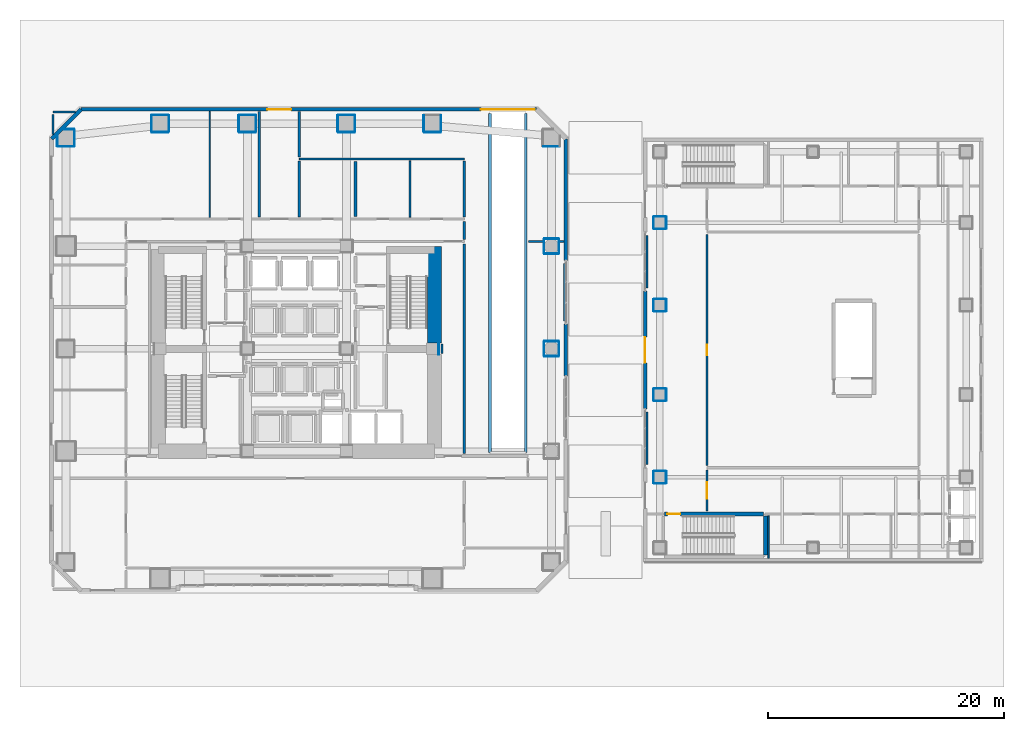
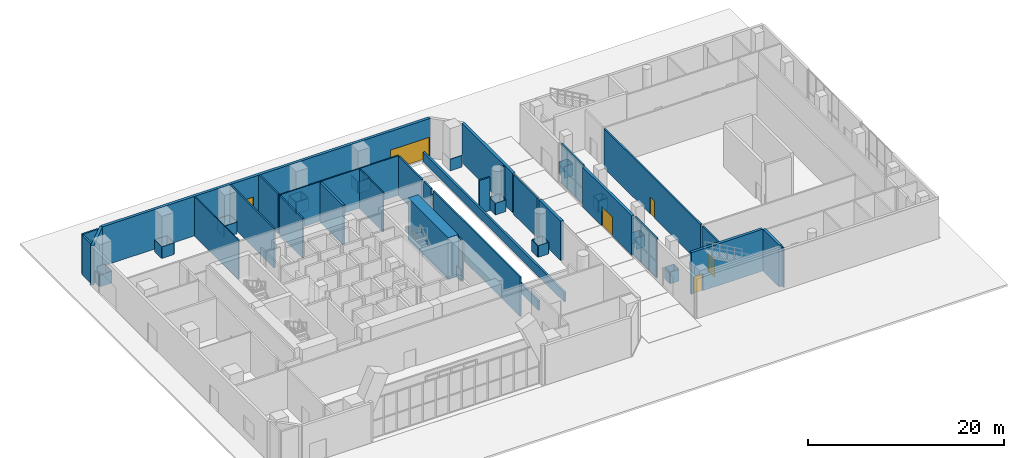
# One storey, part 23 of 30: 76 walls, 6 doors, 6 openings.
"""IFC4 building model written with IfcOpenShell, lengths in metres."""

from ifc_helpers import new_model, si_unit, direction, frame, frame_2d, origin, place, context, subcontext, project, spatial, rectangle, extrude, material, layer, layer_set, type_object, element, fill, save


model = new_model("IFC4")

# Units and contexts
model_context = context("Model", 3, precision=1e-05, world=origin(), true_north=direction((0.0, 1.0)))
body_context = subcontext(model_context, "Body", "Model", "MODEL_VIEW")
ifc_project = project(units=[si_unit("LENGTHUNIT", "METRE"), si_unit("AREAUNIT", "SQUARE_METRE"), si_unit("VOLUMEUNIT", "CUBIC_METRE"), si_unit("PLANEANGLEUNIT", "RADIAN"), si_unit("MASSUNIT", "GRAM", prefix="KILO")], contexts=[model_context])

# Site, building, storey
site_placement = place(None, origin())
site = spatial("IfcSite", under=ifc_project, at=site_placement, CompositionType="ELEMENT")
building_placement = place(site_placement, origin())
building = spatial("IfcBuilding", under=site, at=building_placement, Name="Solanera Arch Residences", CompositionType="ELEMENT")
storey_placement = place(building_placement, origin())
storey = spatial("IfcBuildingStorey", under=building, at=storey_placement, Name="L00", CompositionType="ELEMENT", Elevation=0.0)

# Walls
ifc_material_1 = material(Name="Fire-Rated Gypsum Stud Partition", Category="gypsum")
ifc_layer_1 = layer(ifc_material_1, 0.06005859375)
ifc_layer_set_1 = layer_set([ifc_layer_1], Name="Fire-Rated Gypsum Stud Partition")
wall_type_1 = type_object("IfcWallType", Name="Column Acoustic Furring Wall 60", PredefinedType="PARTITIONING", material=ifc_layer_set_1)
wall_1_placement = place(storey_placement, frame((37.031982421875, 30.2099609375, 0.0), z_axis=(0.0, 0.0, 1.0), x_axis=(0.0, 1.0, 0.0)))
element("IfcWall", 1, at=wall_1_placement, inside=storey, type_object=wall_type_1, Name="L00 Column Furring 6E", PredefinedType="PARTITIONING", context=body_context, shape_type="SweptSolid", body=[
    extrude(rectangle(XDim=0.97998046875, YDim=0.06005859375, at=frame_2d((0.489990234375, 0.0))), origin(), (0.0, 0.0, 1.0), 1.449951171875),
])
for number, where, z_axis, x_axis, name in (
    (2, (12.699951171875, 49.068115234375, 0.0), (0.0, 0.0, 1.0), (1.0, 0.0, 0.0), "L00 Column Furring 11S"),
    (3, (12.699951171875, 50.531982421875, 0.0), (0.0, 0.0, 1.0), (1.0, 0.0, 0.0), "L00 Column Furring 11N"),
):
    element("IfcWall", number, at=place(storey_placement, frame(where, z_axis=z_axis, x_axis=x_axis)), inside=storey, type_object=wall_type_1, Name=name, PredefinedType="PARTITIONING", context=body_context, shape_type="SweptSolid", body=[
        extrude(rectangle(XDim=1.400146484375, YDim=0.06005859375, at=frame_2d((0.7001953125, 0.0))), origin(), (0.0, 0.0, 1.0), 1.449951171875),
    ])
for number, where, z_axis, x_axis, name in (
    (4, (12.66796875, 49.10009765625, 0.0), (0.0, 0.0, 1.0), (0.0, 1.0, 0.0), "L00 Column Furring 11W"),
    (5, (14.132080078125, 49.10009765625, 0.0), (0.0, 0.0, 1.0), (0.0, 1.0, 0.0), "L00 Column Furring 11E"),
    (6, (20.10009765625, 49.068115234375, 0.0), (0.0, 0.0, 1.0), (1.0, 0.0, 0.0), "L00 Column Furring 12S"),
    (7, (20.10009765625, 50.531982421875, 0.0), (0.0, 0.0, 1.0), (1.0, 0.0, 0.0), "L00 Column Furring 12N"),
    (8, (20.068115234375, 49.10009765625, 0.0), (0.0, 0.0, 1.0), (0.0, 1.0, 0.0), "L00 Column Furring 12W"),
    (9, (21.531982421875, 49.10009765625, 0.0), (0.0, 0.0, 1.0), (0.0, 1.0, 0.0), "L00 Column Furring 12E"),
    (10, (28.5, 49.068115234375, 0.0), (0.0, 0.0, 1.0), (1.0, 0.0, 0.0), "L00 Column Furring 13S"),
    (11, (28.5, 50.531982421875, 0.0), (0.0, 0.0, 1.0), (1.0, 0.0, 0.0), "L00 Column Furring 13N"),
    (12, (28.468017578125, 49.10009765625, 0.0), (0.0, 0.0, 1.0), (0.0, 1.0, 0.0), "L00 Column Furring 13W"),
    (13, (29.931884765625, 49.10009765625, 0.0), (0.0, 0.0, 1.0), (0.0, 1.0, 0.0), "L00 Column Furring 13E"),
    (14, (35.800048828125, 49.068115234375, 0.0), (0.0, 0.0, 1.0), (1.0, 0.0, 0.0), "L00 Column Furring 14S"),
    (15, (35.76806640625, 49.10009765625, 0.0), (0.0, 0.0, 1.0), (0.0, 1.0, 0.0), "L00 Column Furring 14W"),
    (16, (37.23193359375, 49.10009765625, 0.0), (0.0, 0.0, 1.0), (0.0, 1.0, 0.0), "L00 Column Furring 14E"),
):
    element("IfcWall", number, at=place(storey_placement, frame(where, z_axis=z_axis, x_axis=x_axis)), inside=storey, type_object=wall_type_1, Name=name, PredefinedType="PARTITIONING", context=body_context, shape_type="SweptSolid", body=[
        extrude(rectangle(XDim=1.39990234375, YDim=0.06005859375, at=frame_2d((0.699951171875, 0.0))), origin(), (0.0, 0.0, 1.0), 1.449951171875),
    ])
for number, where, z_axis, x_axis, name in (
    (17, (46.0, 30.068115234375, 0.0), (0.0, 0.0, 1.0), (1.0, 0.0, 0.0), "L00 Column Furring 19S"),
    (18, (46.0, 31.33203125, 0.0), (0.0, 0.0, 1.0), (1.0, 0.0, 0.0), "L00 Column Furring 19N"),
    (19, (45.968017578125, 30.10009765625, 0.0), (0.0, 0.0, 1.0), (0.0, 1.0, 0.0), "L00 Column Furring 19W"),
    (20, (47.23193359375, 30.10009765625, 0.0), (0.0, 0.0, 1.0), (0.0, 1.0, 0.0), "L00 Column Furring 19E"),
    (21, (46.0, 38.76806640625, 0.0), (0.0, 0.0, 1.0), (1.0, 0.0, 0.0), "L00 Column Furring 20S"),
    (22, (46.0, 40.031982421875, 0.0), (0.0, 0.0, 1.0), (1.0, 0.0, 0.0), "L00 Column Furring 20N"),
    (23, (45.968017578125, 38.800048828125, 0.0), (0.0, 0.0, 1.0), (0.0, 1.0, 0.0), "L00 Column Furring 20W"),
    (24, (47.23193359375, 38.800048828125, 0.0), (0.0, 0.0, 1.0), (0.0, 1.0, 0.0), "L00 Column Furring 20E"),
):
    element("IfcWall", number, at=place(storey_placement, frame(where, z_axis=z_axis, x_axis=x_axis)), inside=storey, type_object=wall_type_1, Name=name, PredefinedType="PARTITIONING", context=body_context, shape_type="SweptSolid", body=[
        extrude(rectangle(XDim=1.199951171875, YDim=0.06005859375, at=frame_2d((0.60009765625, 0.0))), origin(), (0.0, 0.0, 1.0), 1.449951171875),
    ])
wall_2_placement = place(storey_placement, frame((4.699951171875, 47.867919921875, 0.0), z_axis=(0.0, 0.0, 1.0), x_axis=(1.0, 0.0, 0.0)))
element("IfcWall", 25, at=wall_2_placement, inside=storey, type_object=wall_type_1, Name="L00 Column Furring 23S", PredefinedType="PARTITIONING", context=body_context, shape_type="SweptSolid", body=[
    extrude(rectangle(XDim=1.400146484375, YDim=0.06005859375, at=frame_2d((0.7001953125, 0.0))), origin(), (0.0, 0.0, 1.0), 1.449951171875),
])
for number, where, z_axis, x_axis, name in (
    (26, (5.239013671875, 49.33203125, 0.0), (0.0, 0.0, 1.0), (1.0, 0.0, 0.0), "L00 Column Furring 23N"),
    (27, (4.66796875, 47.89990234375, 0.0), (0.0, 0.0, 1.0), (0.0, 1.0, 0.0), "L00 Column Furring 23W"),
):
    element("IfcWall", number, at=place(storey_placement, frame(where, z_axis=z_axis, x_axis=x_axis)), inside=storey, type_object=wall_type_1, Name=name, PredefinedType="PARTITIONING", context=body_context, shape_type="SweptSolid", body=[
        extrude(rectangle(XDim=0.861083984375, YDim=0.06005859375, at=frame_2d((0.4306640625, 0.0))), origin(), (0.0, 0.0, 1.0), 1.449951171875),
    ])
for number, where, z_axis, x_axis, name in (
    (28, (6.132080078125, 47.89990234375, 0.0), (0.0, 0.0, 1.0), (0.0, 1.0, 0.0), "L00 Column Furring 23E"),
    (29, (45.89990234375, 47.867919921875, 0.0), (0.0, 0.0, 1.0), (1.0, 0.0, 0.0), "L00 Column Furring 24S"),
):
    element("IfcWall", number, at=place(storey_placement, frame(where, z_axis=z_axis, x_axis=x_axis)), inside=storey, type_object=wall_type_1, Name=name, PredefinedType="PARTITIONING", context=body_context, shape_type="SweptSolid", body=[
        extrude(rectangle(XDim=1.400146484375, YDim=0.06005859375, at=frame_2d((0.7001953125, 0.0))), origin(), (0.0, 0.0, 1.0), 1.449951171875),
    ])
for number, where, z_axis, x_axis, name in (
    (30, (55.300048828125, 19.26806640625, 0.0), (0.0, 0.0, 1.0), (1.0, 0.0, 0.0), "L00 Column Furring 26S"),
    (31, (55.300048828125, 20.33203125, 0.0), (0.0, 0.0, 1.0), (1.0, 0.0, 0.0), "L00 Column Furring 26N"),
    (32, (55.26806640625, 19.300048828125, 0.0), (0.0, 0.0, 1.0), (0.0, 1.0, 0.0), "L00 Column Furring 26W"),
    (33, (56.33203125, 19.300048828125, 0.0), (0.0, 0.0, 1.0), (0.0, 1.0, 0.0), "L00 Column Furring 26E"),
    (34, (55.300048828125, 26.26806640625, 0.0), (0.0, 0.0, 1.0), (1.0, 0.0, 0.0), "L00 Column Furring 27S"),
    (35, (55.300048828125, 27.33203125, 0.0), (0.0, 0.0, 1.0), (1.0, 0.0, 0.0), "L00 Column Furring 27N"),
    (36, (55.26806640625, 26.300048828125, 0.0), (0.0, 0.0, 1.0), (0.0, 1.0, 0.0), "L00 Column Furring 27W"),
    (37, (56.33203125, 26.300048828125, 0.0), (0.0, 0.0, 1.0), (0.0, 1.0, 0.0), "L00 Column Furring 27E"),
    (38, (55.300048828125, 33.867919921875, 0.0), (0.0, 0.0, 1.0), (1.0, 0.0, 0.0), "L00 Column Furring 28S"),
    (39, (55.300048828125, 34.931884765625, 0.0), (0.0, 0.0, 1.0), (1.0, 0.0, 0.0), "L00 Column Furring 28N"),
    (40, (55.26806640625, 33.89990234375, 0.0), (0.0, 0.0, 1.0), (0.0, 1.0, 0.0), "L00 Column Furring 28W"),
    (41, (56.33203125, 33.89990234375, 0.0), (0.0, 0.0, 1.0), (0.0, 1.0, 0.0), "L00 Column Furring 28E"),
    (42, (55.300048828125, 40.867919921875, 0.0), (0.0, 0.0, 1.0), (1.0, 0.0, 0.0), "L00 Column Furring 29S"),
    (43, (55.300048828125, 41.931884765625, 0.0), (0.0, 0.0, 1.0), (1.0, 0.0, 0.0), "L00 Column Furring 29N"),
    (44, (55.26806640625, 40.89990234375, 0.0), (0.0, 0.0, 1.0), (0.0, 1.0, 0.0), "L00 Column Furring 29W"),
    (45, (56.33203125, 40.89990234375, 0.0), (0.0, 0.0, 1.0), (0.0, 1.0, 0.0), "L00 Column Furring 29E"),
):
    element("IfcWall", number, at=place(storey_placement, frame(where, z_axis=z_axis, x_axis=x_axis)), inside=storey, type_object=wall_type_1, Name=name, PredefinedType="PARTITIONING", context=body_context, shape_type="SweptSolid", body=[
        extrude(rectangle(XDim=1.0, YDim=0.06005859375, at=frame_2d((0.5, 0.0))), origin(), (0.0, 0.0, 1.0), 1.449951171875),
    ])
ifc_material_2 = material(Name="Concrete C55/67 (f'c = 60 MPa)", Category="concrete")
ifc_layer_2 = layer(ifc_material_2, 1.199951171875)
ifc_layer_set_2 = layer_set([ifc_layer_2], Name="Concrete C55/67 (f'c = 60 MPa)")
wall_type_2 = type_object("IfcWallType", Name="Core Shear Wall CW-1200", PredefinedType="SHEAR", material=ifc_layer_set_2)
wall_3_placement = place(storey_placement, frame((36.659912109375, 31.205078125, 0.0), z_axis=(0.0, 0.0, 1.0), x_axis=(0.0, 1.0, 0.0)))
element("IfcWall", 46, at=wall_3_placement, inside=storey, type_object=wall_type_2, Name="L00 East Core North Shear Wall", PredefinedType="SHEAR", context=body_context, shape_type="SweptSolid", body=[
    extrude(rectangle(XDim=8.19482421875, YDim=1.199951171875, at=frame_2d((4.097412109375, 0.0))), origin(), (0.0, 0.0, 1.0), 5.199951171875),
])
ifc_material_3 = material(Name="Concrete C40/50 (f'c = 45 MPa)", Category="concrete")
ifc_layer_3 = layer(ifc_material_3, 0.320068359375)
ifc_layer_set_3 = layer_set([ifc_layer_3], Name="Concrete C40/50 (f'c = 45 MPa)")
wall_type_3 = type_object("IfcWallType", Name="Core Shear Wall CW-320", PredefinedType="SHEAR", material=ifc_layer_set_3)
wall_4_placement = place(storey_placement, frame((64.760009765625, 13.199951171875, 0.0), z_axis=(0.0, 0.0, 1.0), x_axis=(0.0, 1.0, 0.0)))
element("IfcWall", 47, at=wall_4_placement, inside=storey, type_object=wall_type_3, Name="L00 Stair ST-H1 East Shear Wall", PredefinedType="SHEAR", context=body_context, shape_type="SweptSolid", body=[
    extrude(rectangle(XDim=3.320068359375, YDim=0.320068359375, at=frame_2d((1.66015625, 0.0))), origin(), (0.0, 0.0, 1.0), 5.199951171875),
])

# Wall, opening, door
wall_5_placement = place(storey_placement, frame((56.199951171875, 16.679931640625, 0.0), z_axis=(0.0, 0.0, 1.0), x_axis=(1.0, 0.0, 0.0)))
wall_5 = element("IfcWall", 48, at=wall_5_placement, inside=storey, type_object=wall_type_3, Name="L00 Stair ST-H1 North Shear Wall", PredefinedType="SHEAR", context=body_context, shape_type="SweptSolid", body=[
    extrude(rectangle(XDim=8.400146484375, YDim=0.320068359375, at=frame_2d((4.2001953125, 0.0))), origin(), (0.0, 0.0, 1.0), 5.199951171875),
])
opening_1_placement = place(wall_5_placement, frame((0.22998046875, 0.0, 0.0)))
opening_1 = element("IfcOpeningElement", 49, at=opening_1_placement, cuts=wall_5, Name="Opening DF-01", PredefinedType="OPENING", context=body_context, shape_type="SweptSolid", body=[
    extrude(rectangle(XDim=1.10009765625, YDim=2.14990234375, at=frame_2d((0.550048828125, 1.074951171875))), frame((0.0, 0.169921875, 0.0), z_axis=(0.0, -1.0, 0.0), x_axis=(1.0, 0.0, 0.0)), (0.0, 0.0, 1.0), 0.3401),
])
ifc_material_4 = material(Name="Fire-Rated Architectural Hardwood", Category="wood")
door_type_1 = type_object("IfcDoorType", Name="Stair Exit Fire Door DF-01", OperationType="NOTDEFINED", PredefinedType="DOOR", material=ifc_material_4)
door_1_placement = place(opening_1_placement, origin())
door_1 = element("IfcDoor", 50, at=door_1_placement, inside=storey, type_object=door_type_1, Name="DR-L00-STAIR-ST-H1", OperationType="SINGLE_SWING_RIGHT", OverallHeight=2.14990234375, OverallWidth=1.10009765625, PredefinedType="DOOR", context=body_context, shape_type="SweptSolid", body=[
    extrude(rectangle(XDim=1.10009765625, YDim=2.14990234375, at=frame_2d((0.550048828125, 1.074951171875))), frame((0.0, 0.02490234375, 0.0), z_axis=(0.0, -1.0, 0.0), x_axis=(1.0, 0.0, 0.0)), (0.0, 0.0, 1.0), 0.050048828125),
])
fill(opening_1, door_1)

# Walls
ifc_material_5 = material(Name="Autoclaved Aerated Concrete Blockwork", Category="masonry")
ifc_layer_4 = layer(ifc_material_5, 0.179931640625)
ifc_layer_set_4 = layer_set([ifc_layer_4], Name="Autoclaved Aerated Concrete Blockwork")
wall_type_4 = type_object("IfcWallType", Name="Corridor Fire Partition 180", PredefinedType="PARTITIONING", material=ifc_layer_set_4)
wall_6_placement = place(storey_placement, frame((44.637939453125, 39.800048828125, 0.0), z_axis=(0.0, 0.0, 1.0), x_axis=(1.0, 0.0, 0.0)))
element("IfcWall", 51, at=wall_6_placement, inside=storey, type_object=wall_type_4, Name="L00 Interior Partition H19 1", PredefinedType="PARTITIONING", context=body_context, shape_type="SweptSolid", body=[
    extrude(rectangle(XDim=1.260009765625, YDim=0.179931640625, at=frame_2d((0.6298828125, 0.0))), origin(), (0.0, 0.0, 1.0), 4.155029296875),
])
wall_7_placement = place(storey_placement, frame((47.302001953125, 39.800048828125, 0.0), z_axis=(0.0, 0.0, 1.0), x_axis=(1.0, 0.0, 0.0)))
element("IfcWall", 52, at=wall_7_placement, inside=storey, type_object=wall_type_4, Name="L00 Interior Partition H19 2", PredefinedType="PARTITIONING", context=body_context, shape_type="SweptSolid", body=[
    extrude(rectangle(XDim=0.345947265625, YDim=0.179931640625, at=frame_2d((0.1728515625, 0.0))), origin(), (0.0, 0.0, 1.0), 4.919921875),
])
wall_8_placement = place(storey_placement, frame((4.300048828125, 50.800048828125, 0.0), z_axis=(0.0, 0.0, 1.0), x_axis=(1.0, 0.0, 0.0)))
element("IfcWall", 53, at=wall_8_placement, inside=storey, type_object=wall_type_4, Name="L00 Interior Partition H23", PredefinedType="PARTITIONING", context=body_context, shape_type="SweptSolid", body=[
    extrude(rectangle(XDim=1.9169921875, YDim=0.179931640625, at=frame_2d((0.95849609375, 0.0))), origin(), (0.0, 0.0, 1.0), 4.919921875),
])
wall_9_placement = place(storey_placement, frame((21.800048828125, 41.887939453125, 0.0), z_axis=(0.0, 0.0, 1.0), x_axis=(0.0, 1.0, 0.0)))
element("IfcWall", 54, at=wall_9_placement, inside=storey, type_object=wall_type_4, Name="L00 Interior Partition V11", PredefinedType="PARTITIONING", context=body_context, shape_type="SweptSolid", body=[
    extrude(rectangle(XDim=8.9599609375, YDim=0.179931640625, at=frame_2d((4.47998046875, 0.0))), origin(), (0.0, 0.0, 1.0), 4.919921875),
])
wall_10_placement = place(storey_placement, frame((25.199951171875, 41.887939453125, 0.0), z_axis=(0.0, 0.0, 1.0), x_axis=(0.0, 1.0, 0.0)))
element("IfcWall", 55, at=wall_10_placement, inside=storey, type_object=wall_type_4, Name="L00 Interior Partition V12 1", PredefinedType="PARTITIONING", context=body_context, shape_type="SweptSolid", body=[
    extrude(rectangle(XDim=4.744140625, YDim=0.179931640625, at=frame_2d((2.3720703125, 0.0))), origin(), (0.0, 0.0, 1.0), 4.919921875),
])
wall_11_placement = place(storey_placement, frame((25.199951171875, 46.968017578125, 0.0), z_axis=(0.0, 0.0, 1.0), x_axis=(0.0, 1.0, 0.0)))
element("IfcWall", 56, at=wall_11_placement, inside=storey, type_object=wall_type_4, Name="L00 Interior Partition V12 2", PredefinedType="PARTITIONING", context=body_context, shape_type="SweptSolid", body=[
    extrude(rectangle(XDim=3.8798828125, YDim=0.179931640625, at=frame_2d((1.93994140625, 0.0))), origin(), (0.0, 0.0, 1.0), 4.919921875),
])
wall_12_placement = place(storey_placement, frame((37.300048828125, 30.287109375, 0.0), z_axis=(0.0, 0.0, 1.0), x_axis=(0.0, 1.0, 0.0)))
element("IfcWall", 57, at=wall_12_placement, inside=storey, type_object=wall_type_4, Name="L00 Interior Partition V13", PredefinedType="PARTITIONING", context=body_context, shape_type="SweptSolid", body=[
    extrude(rectangle(XDim=0.825927734375, YDim=0.179931640625, at=frame_2d((0.4130859375, 0.0))), origin(), (0.0, 0.0, 1.0), 4.919921875),
])
wall_13_placement = place(storey_placement, frame((39.199951171875, 21.818115234375, 0.0), z_axis=(0.0, 0.0, 1.0), x_axis=(0.0, 1.0, 0.0)))
element("IfcWall", 58, at=wall_13_placement, inside=storey, type_object=wall_type_4, Name="L00 Interior Partition V15 1", PredefinedType="PARTITIONING", context=body_context, shape_type="SweptSolid", body=[
    extrude(rectangle(XDim=17.7939453125, YDim=0.179931640625, at=frame_2d((8.89697265625, 0.0))), origin(), (0.0, 0.0, 1.0), 4.919921875),
])
wall_14_placement = place(storey_placement, frame((39.199951171875, 39.988037109375, 0.0), z_axis=(0.0, 0.0, 1.0), x_axis=(0.0, 1.0, 0.0)))
element("IfcWall", 59, at=wall_14_placement, inside=storey, type_object=wall_type_4, Name="L00 Interior Partition V15 2", PredefinedType="PARTITIONING", context=body_context, shape_type="SweptSolid", body=[
    extrude(rectangle(XDim=1.52392578125, YDim=0.179931640625, at=frame_2d((0.761962890625, 0.0))), origin(), (0.0, 0.0, 1.0), 4.919921875),
])
wall_15_placement = place(storey_placement, frame((39.199951171875, 41.887939453125, 0.0), z_axis=(0.0, 0.0, 1.0), x_axis=(0.0, 1.0, 0.0)))
element("IfcWall", 60, at=wall_15_placement, inside=storey, type_object=wall_type_4, Name="L00 Interior Partition V15 3", PredefinedType="PARTITIONING", context=body_context, shape_type="SweptSolid", body=[
    extrude(rectangle(XDim=4.744140625, YDim=0.179931640625, at=frame_2d((2.3720703125, 0.0))), origin(), (0.0, 0.0, 1.0), 4.919921875),
])
wall_16_placement = place(storey_placement, frame((47.699951171875, 33.070068359375, 0.0), z_axis=(0.0, 0.0, 1.0), x_axis=(0.0, 1.0, 0.0)))
element("IfcWall", 61, at=wall_16_placement, inside=storey, type_object=wall_type_4, Name="L00 Interior Partition V17 2", PredefinedType="PARTITIONING", context=body_context, shape_type="SweptSolid", body=[
    extrude(rectangle(XDim=4.85986328125, YDim=0.179931640625, at=frame_2d((2.429931640625, 0.0))), origin(), (0.0, 0.0, 1.0), 4.919921875),
])
for number, where, z_axis, x_axis, name in (
    (62, (54.699951171875, 20.8701171875, 0.0), (0.0, 0.0, 1.0), (0.0, 1.0, 0.0), "L00 Interior Partition V18 1"),
    (63, (54.699951171875, 35.8701171875, 0.0), (0.0, 0.0, 1.0), (0.0, 1.0, 0.0), "L00 Interior Partition V18 2"),
):
    element("IfcWall", number, at=place(storey_placement, frame(where, z_axis=z_axis, x_axis=x_axis)), inside=storey, type_object=wall_type_4, Name=name, PredefinedType="PARTITIONING", context=body_context, shape_type="SweptSolid", body=[
        extrude(rectangle(XDim=4.4599609375, YDim=0.179931640625, at=frame_2d((2.22998046875, 0.0))), origin(), (0.0, 0.0, 1.0), 4.919921875),
    ])

# Wall, opening, door
wall_17_placement = place(storey_placement, frame((59.800048828125, 16.93994140625, 0.0), z_axis=(0.0, 0.0, 1.0), x_axis=(0.0, 1.0, 0.0)))
wall_17 = element("IfcWall", 64, at=wall_17_placement, inside=storey, type_object=wall_type_4, Name="L00 Interior Partition V19 1", PredefinedType="PARTITIONING", context=body_context, shape_type="SweptSolid", body=[
    extrude(rectangle(XDim=3.47216796875, YDim=0.179931640625, at=frame_2d((1.736083984375, 0.0))), origin(), (0.0, 0.0, 1.0), 4.919921875),
])
opening_2_placement = place(wall_17_placement, frame((1.02392578125, 0.0, 0.0)))
opening_2 = element("IfcOpeningElement", 65, at=opening_2_placement, cuts=wall_17, Name="Opening DF-03", PredefinedType="OPENING", context=body_context, shape_type="SweptSolid", body=[
    extrude(rectangle(XDim=1.39990234375, YDim=2.14990234375, at=frame_2d((0.699951171875, 1.074951171875))), frame((0.0, 0.10009765625, 0.0), z_axis=(0.0, -1.0, 0.0), x_axis=(1.0, 0.0, 0.0)), (0.0, 0.0, 1.0), 0.1999),
])
ifc_material_6 = material(Name="Fire-Rated Architectural Hardwood", Category="wood")
door_type_2 = type_object("IfcDoorType", Name="Corridor Smoke Door DF-03", OperationType="NOTDEFINED", PredefinedType="DOOR", material=ifc_material_6)
door_2_placement = place(opening_2_placement, origin())
door_2 = element("IfcDoor", 66, at=door_2_placement, inside=storey, type_object=door_type_2, Name="DR-L00-IN-024", OperationType="SINGLE_SWING_RIGHT", OverallHeight=2.14990234375, OverallWidth=1.39990234375, PredefinedType="DOOR", context=body_context, shape_type="SweptSolid", body=[
    extrude(rectangle(XDim=1.39990234375, YDim=2.14990234375, at=frame_2d((0.699951171875, 1.074951171875))), frame((0.0, 0.02490234375, 0.0), z_axis=(0.0, -1.0, 0.0), x_axis=(1.0, 0.0, 0.0)), (0.0, 0.0, 1.0), 0.050048828125),
])
fill(opening_2, door_2)

wall_18_placement = place(storey_placement, frame((59.800048828125, 20.7880859375, 0.0), z_axis=(0.0, 0.0, 1.0), x_axis=(0.0, 1.0, 0.0)))
wall_18 = element("IfcWall", 67, at=wall_18_placement, inside=storey, type_object=wall_type_4, Name="L00 Interior Partition V19 2", PredefinedType="PARTITIONING", context=body_context, shape_type="SweptSolid", body=[
    extrude(rectangle(XDim=19.6240234375, YDim=0.179931640625, at=frame_2d((9.81201171875, 0.0))), origin(), (0.0, 0.0, 1.0), 4.919921875),
])
opening_3_placement = place(wall_18_placement, frame((9.362060546875, 0.0, 0.0)))
opening_3 = element("IfcOpeningElement", 68, at=opening_3_placement, cuts=wall_18, Name="Opening DI-02", PredefinedType="OPENING", context=body_context, shape_type="SweptSolid", body=[
    extrude(rectangle(XDim=0.89990234375, YDim=2.10009765625, at=frame_2d((0.449951171875, 1.050048828125))), frame((0.0, 0.10009765625, 0.0), z_axis=(0.0, -1.0, 0.0), x_axis=(1.0, 0.0, 0.0)), (0.0, 0.0, 1.0), 0.1999),
])
ifc_material_7 = material(Name="Fire-Rated Architectural Hardwood", Category="wood")
door_type_3 = type_object("IfcDoorType", Name="Suite Room Swing Door DI-02", OperationType="NOTDEFINED", PredefinedType="DOOR", material=ifc_material_7)
door_3_placement = place(opening_3_placement, origin())
door_3 = element("IfcDoor", 69, at=door_3_placement, inside=storey, type_object=door_type_3, Name="DR-L00-IN-042", OperationType="SINGLE_SWING_RIGHT", OverallHeight=2.10009765625, OverallWidth=0.89990234375, PredefinedType="DOOR", context=body_context, shape_type="SweptSolid", body=[
    extrude(rectangle(XDim=0.89990234375, YDim=2.10009765625, at=frame_2d((0.449951171875, 1.050048828125))), frame((0.0, 0.02490234375, 0.0), z_axis=(0.0, -1.0, 0.0), x_axis=(1.0, 0.0, 0.0)), (0.0, 0.0, 1.0), 0.050048828125),
])
fill(opening_3, door_3)

ifc_material_8 = material(Name="Precast Concrete C35/45", Category="concrete")
ifc_layer_5 = layer(ifc_material_8, 0.300048828125)
ifc_layer_set_5 = layer_set([ifc_layer_5], Name="Precast Concrete C35/45")
wall_type_5 = type_object("IfcWallType", Name="Exterior Wall Precast Masonry-Frame 300", PredefinedType="STANDARD", material=ifc_layer_set_5)
wall_19_placement = place(storey_placement, frame((54.550048828125, 25.60009765625, 0.0), z_axis=(0.0, 0.0, 1.0), x_axis=(0.0, 1.0, 0.0)))
wall_19 = element("IfcWall", 70, at=wall_19_placement, inside=storey, type_object=wall_type_5, Name="L00 Sports Hall West Central Pier", PredefinedType="STANDARD", context=body_context, shape_type="SweptSolid", body=[
    extrude(rectangle(XDim=10.0, YDim=0.300048828125, at=frame_2d((5.0, 0.0))), origin(), (0.0, 0.0, 1.0), 4.919921875),
])
opening_4_placement = place(wall_19_placement, frame((3.89990234375, 0.0, 0.0)))
opening_4 = element("IfcOpeningElement", 71, at=opening_4_placement, cuts=wall_19, Name="Opening EX-03", PredefinedType="OPENING", context=body_context, shape_type="SweptSolid", body=[
    extrude(rectangle(XDim=2.199951171875, YDim=2.39990234375, at=frame_2d((1.10009765625, 1.199951171875))), frame((0.0, 0.159912109375, 0.0), z_axis=(0.0, -1.0, 0.0), x_axis=(1.0, 0.0, 0.0)), (0.0, 0.0, 1.0), 0.32),
])
ifc_material_9 = material(Name="Anodised Aluminium Alloy 6063-T6", Category="aluminium")
door_type_4 = type_object("IfcDoorType", Name="Arena Public Exit Double Door EX-03", OperationType="NOTDEFINED", PredefinedType="DOOR", material=ifc_material_9)
door_4_placement = place(opening_4_placement, origin())
door_4 = element("IfcDoor", 72, at=door_4_placement, inside=storey, type_object=door_type_4, Name="DR-L00-SH-PASEO-1", OperationType="DOUBLE_DOOR_SINGLE_SWING", OverallHeight=2.39990234375, OverallWidth=2.199951171875, PredefinedType="DOOR", context=body_context, shape_type="SweptSolid", body=[
    extrude(rectangle(XDim=2.199951171875, YDim=2.39990234375, at=frame_2d((1.10009765625, 1.199951171875))), frame((0.0, 0.02490234375, 0.0), z_axis=(0.0, -1.0, 0.0), x_axis=(1.0, 0.0, 0.0)), (0.0, 0.0, 1.0), 0.050048828125),
])
fill(opening_4, door_4)

# Wall
ifc_material_10 = material(Name="Precast Concrete C35/45", Category="concrete")
ifc_layer_6 = layer(ifc_material_10, 0.320068359375)
ifc_layer_set_6 = layer_set([ifc_layer_6], Name="Precast Concrete C35/45")
wall_type_6 = type_object("IfcWallType", Name="Exterior Wall Precast Masonry-Frame 320", PredefinedType="STANDARD", material=ifc_layer_set_6)
wall_20_placement = place(storey_placement, frame((4.179931640625, 48.52001953125, 0.0), z_axis=(0.0, 0.0, 1.0), x_axis=(0.707106781187, 0.707106781187, 0.0)))
element("IfcWall", 73, at=wall_20_placement, inside=storey, type_object=wall_type_6, Name="L00 Podium Precast Masonry-Frame Wall 2", PredefinedType="STANDARD", context=body_context, shape_type="SweptSolid", body=[
    extrude(rectangle(XDim=3.53564453125, YDim=0.320068359375, at=frame_2d((1.767822265625, 0.0))), origin(), (0.0, 0.0, 1.0), 4.919921875),
])

# Wall, openings, doors
wall_21_placement = place(storey_placement, frame((6.679931640625, 51.02001953125, 0.0), z_axis=(0.0, 0.0, 1.0), x_axis=(1.0, 0.0, 0.0)))
wall_21 = element("IfcWall", 74, at=wall_21_placement, inside=storey, type_object=wall_type_6, Name="L00 Podium Precast Masonry-Frame Wall 3", PredefinedType="STANDARD", context=body_context, shape_type="SweptSolid", body=[
    extrude(rectangle(XDim=38.64013671875, YDim=0.320068359375, at=frame_2d((19.320068359375, 0.0))), origin(), (0.0, 0.0, 1.0), 4.919921875),
])
opening_5_placement = place(wall_21_placement, frame((33.919921875, 0.0, 0.0)))
opening_5 = element("IfcOpeningElement", 75, at=opening_5_placement, cuts=wall_21, Name="Opening RG-01", PredefinedType="OPENING", context=body_context, shape_type="SweptSolid", body=[
    extrude(rectangle(XDim=4.60009765625, YDim=2.60009765625, at=frame_2d((2.300048828125, 1.300048828125))), frame((0.0, 0.169921875, 0.0), z_axis=(0.0, -1.0, 0.0), x_axis=(1.0, 0.0, 0.0)), (0.0, 0.0, 1.0), 0.3401),
])
opening_6_placement = place(wall_21_placement, frame((15.820068359375, 0.0, 0.0)))
opening_6 = element("IfcOpeningElement", 76, at=opening_6_placement, cuts=wall_21, Name="Opening EX-01", PredefinedType="OPENING", context=body_context, shape_type="SweptSolid", body=[
    extrude(rectangle(XDim=2.0, YDim=2.39990234375, at=frame_2d((1.0, 1.199951171875))), frame((0.0, 0.169921875, 0.0), z_axis=(0.0, -1.0, 0.0), x_axis=(1.0, 0.0, 0.0)), (0.0, 0.0, 1.0), 0.3401),
])
ifc_material_11 = material(Name="Anodised Aluminium Alloy 6063-T6", Category="aluminium")
door_type_5 = type_object("IfcDoorType", Name="Ground Final Exit Double Door EX-01", OperationType="NOTDEFINED", PredefinedType="DOOR", material=ifc_material_11)
door_5_placement = place(opening_6_placement, origin())
door_5 = element("IfcDoor", 77, at=door_5_placement, inside=storey, type_object=door_type_5, Name="DR-L00-EX-TWR-N", OperationType="DOUBLE_DOOR_SINGLE_SWING", OverallHeight=2.39990234375, OverallWidth=2.0, PredefinedType="DOOR", context=body_context, shape_type="SweptSolid", body=[
    extrude(rectangle(XDim=2.0, YDim=2.39990234375, at=frame_2d((1.0, 1.199951171875))), frame((0.0, 0.02490234375, 0.0), z_axis=(0.0, -1.0, 0.0), x_axis=(1.0, 0.0, 0.0)), (0.0, 0.0, 1.0), 0.050048828125),
])
fill(opening_6, door_5)
ifc_material_12 = material(Name="Anodised Aluminium Alloy 6063-T6", Category="aluminium")
door_type_6 = type_object("IfcDoorType", Name="Vehicle Ramp Security Gate RG-01", OperationType="NOTDEFINED", PredefinedType="GATE", material=ifc_material_12)
door_6_placement = place(opening_5_placement, origin())
door_6 = element("IfcDoor", 78, at=door_6_placement, inside=storey, type_object=door_type_6, Name="DR-L00-RAMP-GATE", OperationType="SLIDING_TO_RIGHT", OverallHeight=2.60009765625, OverallWidth=4.60009765625, PredefinedType="GATE", context=body_context, shape_type="SweptSolid", body=[
    extrude(rectangle(XDim=4.60009765625, YDim=2.60009765625, at=frame_2d((2.300048828125, 1.300048828125))), frame((0.0, 0.02490234375, 0.0), z_axis=(0.0, -1.0, 0.0), x_axis=(1.0, 0.0, 0.0)), (0.0, 0.0, 1.0), 0.050048828125),
])
fill(opening_5, door_6)

# Walls
wall_22_placement = place(storey_placement, frame((47.820068359375, 48.52001953125, 0.0), z_axis=(0.0, 0.0, 1.0), x_axis=(0.0, -1.0, 0.0)))
element("IfcWall", 79, at=wall_22_placement, inside=storey, type_object=wall_type_6, Name="L00 Podium East Paseo Pier 1", PredefinedType="STANDARD", context=body_context, shape_type="SweptSolid", body=[
    extrude(rectangle(XDim=10.320068359375, YDim=0.320068359375, at=frame_2d((5.16015625, 0.0))), origin(), (0.0, 0.0, 1.0), 4.919921875),
])
wall_23_placement = place(storey_placement, frame((47.820068359375, 32.800048828125, 0.0), z_axis=(0.0, 0.0, 1.0), x_axis=(0.0, -1.0, 0.0)))
element("IfcWall", 80, at=wall_23_placement, inside=storey, type_object=wall_type_6, Name="L00 Podium East Paseo Pier 2", PredefinedType="STANDARD", context=body_context, shape_type="SweptSolid", body=[
    extrude(rectangle(XDim=4.400146484375, YDim=0.320068359375, at=frame_2d((2.2001953125, 0.0))), origin(), (0.0, 0.0, 1.0), 4.919921875),
])
ifc_material_13 = material(Name="Precast Concrete C35/45", Category="concrete")
ifc_layer_7 = layer(ifc_material_13, 0.239990234375)
ifc_layer_set_7 = layer_set([ifc_layer_7], Name="Precast Concrete C35/45")
wall_type_7 = type_object("IfcWallType", Name="Parapet Wall Precast 240", PredefinedType="PARAPET", material=ifc_layer_set_7)
for number, where, z_axis, x_axis, name in (
    (81, (41.3798828125, 21.8798828125, 0.0), (0.0, 0.0, 1.0), (0.0, 1.0, 0.0), "L00 Exit Ramp West Parapet Wall"),
    (82, (44.419921875, 21.8798828125, 0.0), (0.0, 0.0, 1.0), (0.0, 1.0, 0.0), "L00 Exit Ramp East Parapet Wall"),
):
    element("IfcWall", number, at=place(storey_placement, frame(where, z_axis=z_axis, x_axis=x_axis)), inside=storey, type_object=wall_type_7, Name=name, PredefinedType="PARAPET", context=body_context, shape_type="SweptSolid", body=[
        extrude(rectangle(XDim=28.77001953125, YDim=0.239990234375, at=frame_2d((14.385009765625, 0.0))), origin(), (0.0, 0.0, 1.0), 1.199951171875),
    ])
ifc_material_14 = material(Name="Autoclaved Aerated Concrete Blockwork", Category="masonry")
ifc_layer_8 = layer(ifc_material_14, 0.199951171875)
ifc_layer_set_8 = layer_set([ifc_layer_8], Name="Autoclaved Aerated Concrete Blockwork")
wall_type_8 = type_object("IfcWallType", Name="Party Wall Acoustic 200", PredefinedType="PARTITIONING", material=ifc_layer_set_8)
wall_24_placement = place(storey_placement, frame((4.300048828125, 48.883056640625, 0.0), z_axis=(0.0, 0.0, 1.0), x_axis=(0.0, 1.0, 0.0)))
element("IfcWall", 83, at=wall_24_placement, inside=storey, type_object=wall_type_8, Name="L00 Interior Partition V7 2", PredefinedType="PARTITIONING", context=body_context, shape_type="SweptSolid", body=[
    extrude(rectangle(XDim=1.718994140625, YDim=0.199951171875, at=frame_2d((0.859375, 0.0))), origin(), (0.0, 0.0, 1.0), 4.919921875),
])
ifc_material_15 = material(Name="Autoclaved Aerated Concrete Blockwork", Category="masonry")
ifc_layer_9 = layer(ifc_material_15, 0.239990234375)
ifc_layer_set_9 = layer_set([ifc_layer_9], Name="Autoclaved Aerated Concrete Blockwork")
wall_type_9 = type_object("IfcWallType", Name="Shaft Wall Fire-Rated 240", PredefinedType="PARTITIONING", material=ifc_layer_set_9)
wall_25_placement = place(storey_placement, frame((29.97509765625, 41.91796875, 0.0), z_axis=(0.0, 0.0, 1.0), x_axis=(0.0, 1.0, 0.0)))
element("IfcWall", 84, at=wall_25_placement, inside=storey, type_object=wall_type_9, Name="L00 Interior Partition V5", PredefinedType="PARTITIONING", context=body_context, shape_type="SweptSolid", body=[
    extrude(rectangle(XDim=4.68408203125, YDim=0.239990234375, at=frame_2d((2.342041015625, 0.0))), origin(), (0.0, 0.0, 1.0), 4.919921875),
])
ifc_material_16 = material(Name="Fire-Rated Gypsum Stud Partition", Category="gypsum")
ifc_layer_10 = layer(ifc_material_16, 0.1201171875)
ifc_layer_set_10 = layer_set([ifc_layer_10], Name="Fire-Rated Gypsum Stud Partition")
wall_type_10 = type_object("IfcWallType", Name="Unit Drywall Partition 120", PredefinedType="PARTITIONING", material=ifc_layer_set_10)
wall_26_placement = place(storey_placement, frame((17.60009765625, 41.85791015625, 0.0), z_axis=(0.0, 0.0, 1.0), x_axis=(0.0, 1.0, 0.0)))
element("IfcWall", 85, at=wall_26_placement, inside=storey, type_object=wall_type_10, Name="L00 Interior Partition V27", PredefinedType="PARTITIONING", context=body_context, shape_type="SweptSolid", body=[
    extrude(rectangle(XDim=8.989990234375, YDim=0.1201171875, at=frame_2d((4.4951171875, 0.0))), origin(), (0.0, 0.0, 1.0), 4.919921875),
])
wall_27_placement = place(storey_placement, frame((65.0, 12.912109375, 0.0), z_axis=(0.0, 0.0, 1.0), x_axis=(0.0, 1.0, 0.0)))
element("IfcWall", 86, at=wall_27_placement, inside=storey, type_object=wall_type_10, Name="L00 Interior Partition V28", PredefinedType="PARTITIONING", context=body_context, shape_type="SweptSolid", body=[
    extrude(rectangle(XDim=3.60986328125, YDim=0.1201171875, at=frame_2d((1.804931640625, 0.0))), origin(), (0.0, 0.0, 1.0), 4.919921875),
])
ifc_material_17 = material(Name="Autoclaved Aerated Concrete Blockwork", Category="masonry")
ifc_layer_11 = layer(ifc_material_17, 0.139892578125)
ifc_layer_set_11 = layer_set([ifc_layer_11], Name="Autoclaved Aerated Concrete Blockwork")
wall_type_11 = type_object("IfcWallType", Name="Wet-Room Partition 140", PredefinedType="PARTITIONING", material=ifc_layer_set_11)
wall_28_placement = place(storey_placement, frame((25.199951171875, 46.800048828125, 0.0), z_axis=(0.0, 0.0, 1.0), x_axis=(1.0, 0.0, 0.0)))
element("IfcWall", 87, at=wall_28_placement, inside=storey, type_object=wall_type_11, Name="L00 Interior Partition H26", PredefinedType="PARTITIONING", context=body_context, shape_type="SweptSolid", body=[
    extrude(rectangle(XDim=14.0, YDim=0.139892578125, at=frame_2d((7.0, 0.0))), origin(), (0.0, 0.0, 1.0), 4.919921875),
])
wall_29_placement = place(storey_placement, frame((34.60009765625, 41.867919921875, 0.0), z_axis=(0.0, 0.0, 1.0), x_axis=(0.0, 1.0, 0.0)))
element("IfcWall", 88, at=wall_29_placement, inside=storey, type_object=wall_type_11, Name="L00 Interior Partition V22", PredefinedType="PARTITIONING", context=body_context, shape_type="SweptSolid", body=[
    extrude(rectangle(XDim=4.7841796875, YDim=0.139892578125, at=frame_2d((2.39208984375, 0.0))), origin(), (0.0, 0.0, 1.0), 4.919921875),
])

save(model, "model.ifc")
